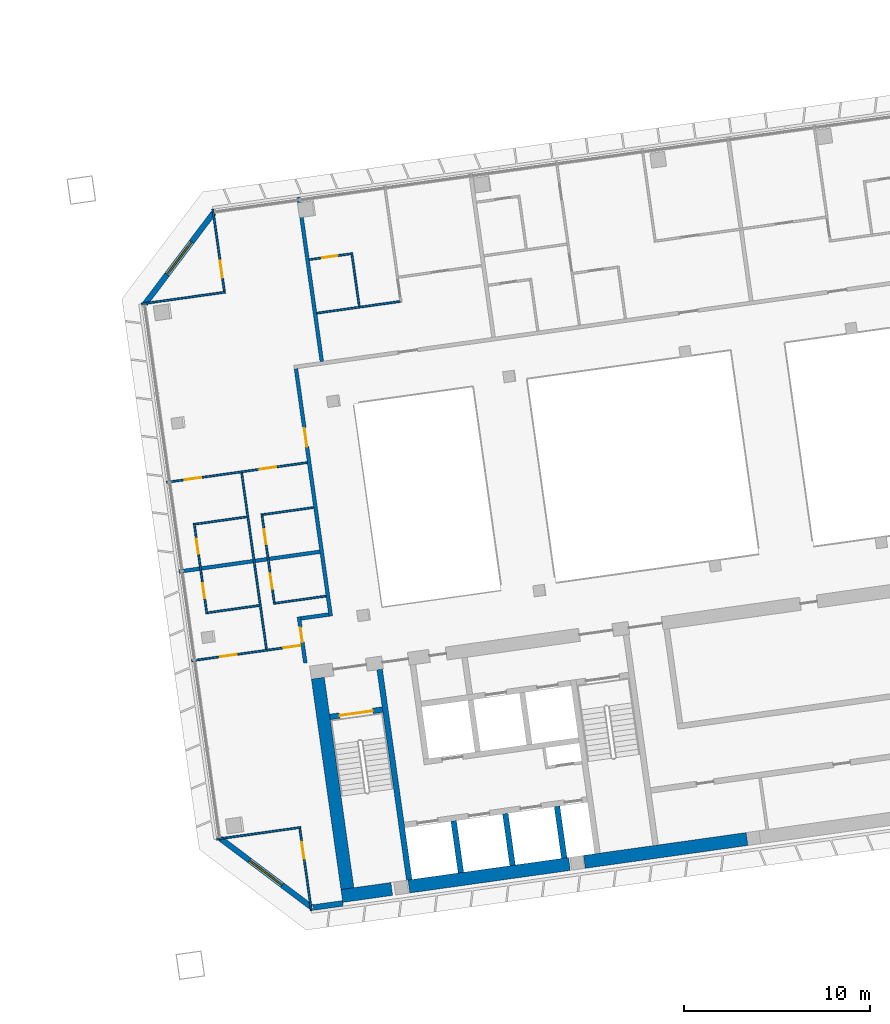
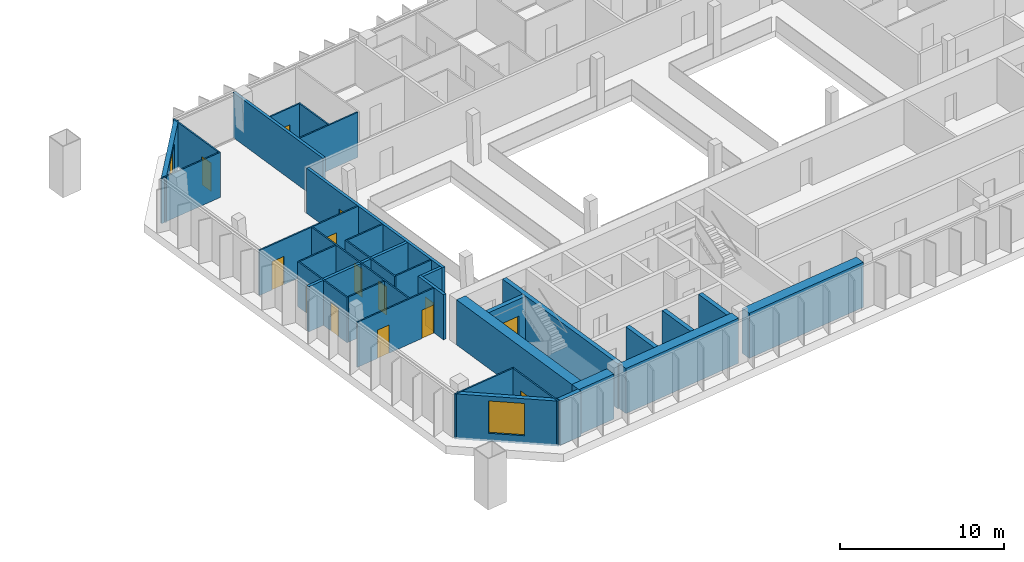
# One storey, part 17 of 23: 33 walls, 14 doors, 2 windows, 16 openings.
"""IFC4 building model written with IfcOpenShell, lengths in metres."""

from ifc_helpers import new_model, si_unit, direction, frame, frame_2d, origin, place, context, subcontext, project, spatial, rectangle, extrude, material, layer, layer_set, type_object, element, fill, save


model = new_model("IFC4")

# Units and contexts
model_context = context("Model", 3, precision=1e-05, world=origin(), true_north=direction((0.0, 1.0)))
body_context = subcontext(model_context, "Body", "Model", "MODEL_VIEW")
ifc_project = project(units=[si_unit("LENGTHUNIT", "METRE"), si_unit("AREAUNIT", "SQUARE_METRE"), si_unit("VOLUMEUNIT", "CUBIC_METRE"), si_unit("PLANEANGLEUNIT", "RADIAN"), si_unit("MASSUNIT", "GRAM", prefix="KILO")], contexts=[model_context])

# Site, building, storey
site_placement = place(None, origin())
site = spatial("IfcSite", under=ifc_project, at=site_placement, CompositionType="ELEMENT")
building_placement = place(site_placement, origin())
building = spatial("IfcBuilding", under=site, at=building_placement, Name="Mirante Cascada Hotel Towers", CompositionType="ELEMENT")
storey_placement = place(building_placement, frame((0.0, 0.0, 187.8)))
storey = spatial("IfcBuildingStorey", under=building, at=storey_placement, Name="L44", CompositionType="ELEMENT", Elevation=187.8)

# Walls
ifc_material_1 = material(Name="Fire-rated plasterboard on metal studs")
ifc_layer_1 = layer(ifc_material_1, 0.2)
ifc_layer_set_1 = layer_set([ifc_layer_1], Name="Compartment wall 200 EI 120")
wall_type_1 = type_object("IfcWallType", Name="Compartment wall 200 EI 120", PredefinedType="PARTITIONING", material=ifc_layer_set_1)
wall_1_placement = place(storey_placement, frame((35.0284, -4.7267, 0.0), z_axis=(0.0, 0.0, 1.0), x_axis=(0.9902735, 0.1391343, 0.0)))
element("IfcWall", 1, at=wall_1_placement, inside=storey, type_object=wall_type_1, Name="Wall 2-L44-03", PredefinedType="PARTITIONING", context=body_context, shape_type="SweptSolid", body=[
    extrude(rectangle(XDim=1.5, YDim=0.2, at=frame_2d((0.75, 0.0))), origin(), (0.0, 0.0, 1.0), 3.35),
])
wall_2_placement = place(storey_placement, frame((28.4875, -2.2126, 0.0), z_axis=(0.0, 0.0, 1.0), x_axis=(0.9902666, 0.1391835, 0.0)))
element("IfcWall", 2, at=wall_2_placement, inside=storey, type_object=wall_type_1, Name="Wall 2-L44-07", PredefinedType="PARTITIONING", context=body_context, shape_type="SweptSolid", body=[
    extrude(rectangle(XDim=7.6273, YDim=0.2, at=frame_2d((3.8136, 0.0))), origin(), (0.0, 0.0, 1.0), 3.35),
])

# Wall, opening, door
wall_3_placement = place(storey_placement, frame((35.2634, -7.1173, 0.0), z_axis=(0.0, 0.0, 1.0), x_axis=(-0.1391586, 0.9902701, 0.0)))
wall_3 = element("IfcWall", 3, at=wall_3_placement, inside=storey, type_object=wall_type_1, Name="Wall 2-L44-33", PredefinedType="PARTITIONING", context=body_context, shape_type="SweptSolid", body=[
    extrude(rectangle(XDim=2.5, YDim=0.2, at=frame_2d((1.25, 0.0))), origin(), (0.0, 0.0, 1.0), 3.35),
])
opening_1_placement = place(wall_3_placement, frame((1.1167, 0.0, 0.0)))
opening_1 = element("IfcOpeningElement", 4, at=opening_1_placement, cuts=wall_3, Name="Opening D2-L44-26", PredefinedType="OPENING", context=body_context, shape_type="SweptSolid", body=[
    extrude(rectangle(XDim=0.8, YDim=2.1, at=frame_2d((0.4, 1.05))), frame((0.0, 0.1, 0.0), z_axis=(0.0, -1.0, 0.0), x_axis=(1.0, 0.0, 0.0)), (0.0, 0.0, 1.0), 0.2),
])
ifc_material_2 = material(Name="Fire-rated timber door leaf", Category="wood")
door_type_1 = type_object("IfcDoorType", Name="Bathroom door DG4 800x2100 EI 60", OperationType="SINGLE_SWING_LEFT", PredefinedType="DOOR", material=ifc_material_2)
door_1_placement = place(opening_1_placement, frame((0.8, 0.0, 0.0), z_axis=(0.0, 0.0, 1.0), x_axis=(-1.0, 0.0, 0.0)))
door_1 = element("IfcDoor", 5, at=door_1_placement, inside=storey, type_object=door_type_1, Name="Door D2-L44-26", OperationType="SINGLE_SWING_RIGHT", OverallHeight=2.1, OverallWidth=0.8, PredefinedType="DOOR", context=body_context, shape_type="SweptSolid", body=[
    extrude(rectangle(XDim=0.8, YDim=2.1, at=frame_2d((0.4, 1.05))), frame((0.0, 0.025, 0.0), z_axis=(0.0, -1.0, 0.0), x_axis=(1.0, 0.0, 0.0)), (0.0, 0.0, 1.0), 0.05),
])
fill(opening_1, door_1)

wall_4_placement = place(storey_placement, frame((34.7618, 8.6665, 0.0), z_axis=(0.0, 0.0, 1.0), x_axis=(0.1391789, -0.9902673, 0.0)))
wall_4 = element("IfcWall", 6, at=wall_4_placement, inside=storey, type_object=wall_type_1, Name="Wall 2-L44-34", PredefinedType="PARTITIONING", context=body_context, shape_type="SweptSolid", body=[
    extrude(rectangle(XDim=13.4, YDim=0.2, at=frame_2d((6.7, 0.0))), origin(), (0.0, 0.0, 1.0), 3.35),
])
opening_2_placement = place(wall_4_placement, frame((3.2167, 0.0, 0.0)))
opening_2 = element("IfcOpeningElement", 7, at=opening_2_placement, cuts=wall_4, Name="Opening D2-L44-27", PredefinedType="OPENING", context=body_context, shape_type="SweptSolid", body=[
    extrude(rectangle(XDim=1.0, YDim=2.1, at=frame_2d((0.5, 1.05))), frame((0.0, 0.1, 0.0), z_axis=(0.0, -1.0, 0.0), x_axis=(1.0, 0.0, 0.0)), (0.0, 0.0, 1.0), 0.2),
])
ifc_material_3 = material(Name="Fire-rated timber door leaf", Category="wood")
door_type_2 = type_object("IfcDoorType", Name="Entrance door DG1 1000x2100 EI 60", OperationType="SINGLE_SWING_LEFT", PredefinedType="DOOR", material=ifc_material_3)
door_2_placement = place(opening_2_placement, frame((1.0, 0.0, 0.0), z_axis=(0.0, 0.0, 1.0), x_axis=(-1.0, 0.0, 0.0)))
door_2 = element("IfcDoor", 8, at=door_2_placement, inside=storey, type_object=door_type_2, Name="Door D2-L44-27", OperationType="SINGLE_SWING_RIGHT", OverallHeight=2.1, OverallWidth=1.0, PredefinedType="DOOR", context=body_context, shape_type="SweptSolid", body=[
    extrude(rectangle(XDim=1.0, YDim=2.1, at=frame_2d((0.5, 1.05))), frame((0.0, 0.025, 0.0), z_axis=(0.0, -1.0, 0.0), x_axis=(1.0, 0.0, 0.0)), (0.0, 0.0, 1.0), 0.05),
])
fill(opening_2, door_2)

# Walls
wall_5_placement = place(storey_placement, frame((36.1455, 9.063, 0.0), z_axis=(0.0, 0.0, 1.0), x_axis=(-0.13917, 0.9902685, 0.0)))
element("IfcWall", 9, at=wall_5_placement, inside=storey, type_object=wall_type_1, Name="Wall 2-L44-35", PredefinedType="PARTITIONING", context=body_context, shape_type="SweptSolid", body=[
    extrude(rectangle(XDim=8.8999, YDim=0.2, at=frame_2d((4.45, 0.0))), origin(), (0.0, 0.0, 1.0), 3.35),
])
ifc_material_4 = material(Name="Plasterboard on metal studs")
ifc_layer_2 = layer(ifc_material_4, 0.1)
ifc_layer_set_2 = layer_set([ifc_layer_2], Name="Partition 100")
wall_type_2 = type_object("IfcWallType", Name="Partition 100", PredefinedType="PARTITIONING", material=ifc_layer_set_2)
wall_6_placement = place(storey_placement, frame((30.5055, -16.5715, 0.0), z_axis=(0.0, 0.0, 1.0), x_axis=(0.9902661, 0.1391871, 0.0)))
element("IfcWall", 10, at=wall_6_placement, inside=storey, type_object=wall_type_2, Name="Wall 2-L44-01", PredefinedType="PARTITIONING", context=body_context, shape_type="SweptSolid", body=[
    extrude(rectangle(XDim=4.55, YDim=0.1, at=frame_2d((2.275, 0.0))), origin(), (0.0, 0.0, 1.0), 3.35),
])

# Wall, openings, doors
wall_7_placement = place(storey_placement, frame((35.0298, -6.1739, 0.0), z_axis=(0.0, 0.0, 1.0), x_axis=(-0.9902688, -0.1391677, 0.0)))
wall_7 = element("IfcWall", 11, at=wall_7_placement, inside=storey, type_object=wall_type_2, Name="Wall 2-L44-02", PredefinedType="PARTITIONING", context=body_context, shape_type="SweptSolid", body=[
    extrude(rectangle(XDim=5.9274, YDim=0.1, at=frame_2d((2.9637, 0.0))), origin(), (0.0, 0.0, 1.0), 3.35),
])
opening_3_placement = place(wall_7_placement, frame((3.4774, 0.0, 0.0)))
opening_3 = element("IfcOpeningElement", 12, at=opening_3_placement, cuts=wall_7, Name="Opening D2-L44-01", PredefinedType="OPENING", context=body_context, shape_type="SweptSolid", body=[
    extrude(rectangle(XDim=0.9, YDim=2.1, at=frame_2d((0.45, 1.05))), frame((0.0, 0.05, 0.0), z_axis=(0.0, -1.0, 0.0), x_axis=(1.0, 0.0, 0.0)), (0.0, 0.0, 1.0), 0.1),
])
opening_4_placement = place(wall_7_placement, frame((0.05, 0.0, 0.0)))
opening_4 = element("IfcOpeningElement", 13, at=opening_4_placement, cuts=wall_7, Name="Opening D2-L44-02", PredefinedType="OPENING", context=body_context, shape_type="SweptSolid", body=[
    extrude(rectangle(XDim=0.9, YDim=2.1, at=frame_2d((0.45, 1.05))), frame((0.0, 0.05, 0.0), z_axis=(0.0, -1.0, 0.0), x_axis=(1.0, 0.0, 0.0)), (0.0, 0.0, 1.0), 0.1),
])
ifc_material_5 = material(Name="Timber door leaf", Category="wood")
door_type_3 = type_object("IfcDoorType", Name="Room door DG3 900x2100", OperationType="SINGLE_SWING_LEFT", PredefinedType="DOOR", material=ifc_material_5)
door_3_placement = place(opening_3_placement, origin())
door_3 = element("IfcDoor", 14, at=door_3_placement, inside=storey, type_object=door_type_3, Name="Door D2-L44-01", OperationType="SINGLE_SWING_LEFT", OverallHeight=2.1, OverallWidth=0.9, PredefinedType="DOOR", context=body_context, shape_type="SweptSolid", body=[
    extrude(rectangle(XDim=0.9, YDim=2.1, at=frame_2d((0.45, 1.05))), frame((0.0, 0.025, 0.0), z_axis=(0.0, -1.0, 0.0), x_axis=(1.0, 0.0, 0.0)), (0.0, 0.0, 1.0), 0.05),
])
fill(opening_3, door_3)
door_4_placement = place(opening_4_placement, origin())
door_4 = element("IfcDoor", 15, at=door_4_placement, inside=storey, type_object=door_type_3, Name="Door D2-L44-02", OperationType="SINGLE_SWING_LEFT", OverallHeight=2.1, OverallWidth=0.9, PredefinedType="DOOR", context=body_context, shape_type="SweptSolid", body=[
    extrude(rectangle(XDim=0.9, YDim=2.1, at=frame_2d((0.45, 1.05))), frame((0.0, 0.025, 0.0), z_axis=(0.0, -1.0, 0.0), x_axis=(1.0, 0.0, 0.0)), (0.0, 0.0, 1.0), 0.05),
])
fill(opening_4, door_4)

# Walls
wall_8_placement = place(storey_placement, frame((30.0234, -4.4203, 0.0), z_axis=(0.0, 0.0, 1.0), x_axis=(0.990267, 0.139181, 0.0)))
element("IfcWall", 16, at=wall_8_placement, inside=storey, type_object=wall_type_2, Name="Wall 2-L44-05", PredefinedType="PARTITIONING", context=body_context, shape_type="SweptSolid", body=[
    extrude(rectangle(XDim=2.8, YDim=0.1, at=frame_2d((1.4, 0.0))), origin(), (0.0, 0.0, 1.0), 3.35),
])
wall_9_placement = place(storey_placement, frame((36.3747, -3.5277, 0.0), z_axis=(0.0, 0.0, 1.0), x_axis=(-0.9902698, -0.1391607, 0.0)))
element("IfcWall", 17, at=wall_9_placement, inside=storey, type_object=wall_type_2, Name="Wall 2-L44-06", PredefinedType="PARTITIONING", context=body_context, shape_type="SweptSolid", body=[
    extrude(rectangle(XDim=2.7501, YDim=0.1, at=frame_2d((1.3751, 0.0))), origin(), (0.0, 0.0, 1.0), 3.35),
])
wall_10_placement = place(storey_placement, frame((29.3553, 0.333, 0.0), z_axis=(0.0, 0.0, 1.0), x_axis=(0.9902677, 0.139176, 0.0)))
element("IfcWall", 18, at=wall_10_placement, inside=storey, type_object=wall_type_2, Name="Wall 2-L44-09", PredefinedType="PARTITIONING", context=body_context, shape_type="SweptSolid", body=[
    extrude(rectangle(XDim=2.8001, YDim=0.1, at=frame_2d((1.4, 0.0))), origin(), (0.0, 0.0, 1.0), 3.35),
])
wall_11_placement = place(storey_placement, frame((35.7066, 1.2256, 0.0), z_axis=(0.0, 0.0, 1.0), x_axis=(-0.9902691, -0.1391657, 0.0)))
element("IfcWall", 19, at=wall_11_placement, inside=storey, type_object=wall_type_2, Name="Wall 2-L44-10", PredefinedType="PARTITIONING", context=body_context, shape_type="SweptSolid", body=[
    extrude(rectangle(XDim=2.75, YDim=0.1, at=frame_2d((1.375, 0.0))), origin(), (0.0, 0.0, 1.0), 3.35),
])

# Wall, openings, doors
wall_12_placement = place(storey_placement, frame((27.8148, 2.5737, 0.0), z_axis=(0.0, 0.0, 1.0), x_axis=(0.9902687, 0.1391689, 0.0)))
wall_12 = element("IfcWall", 20, at=wall_12_placement, inside=storey, type_object=wall_type_2, Name="Wall 2-L44-13", PredefinedType="PARTITIONING", context=body_context, shape_type="SweptSolid", body=[
    extrude(rectangle(XDim=7.6274, YDim=0.1, at=frame_2d((3.8137, 0.0))), origin(), (0.0, 0.0, 1.0), 3.35),
])
opening_5_placement = place(wall_12_placement, frame((0.9819, 0.0, 0.0)))
opening_5 = element("IfcOpeningElement", 21, at=opening_5_placement, cuts=wall_12, Name="Opening D2-L44-06", PredefinedType="OPENING", context=body_context, shape_type="SweptSolid", body=[
    extrude(rectangle(XDim=0.9, YDim=2.1, at=frame_2d((0.45, 1.05))), frame((0.0, 0.05, 0.0), z_axis=(0.0, -1.0, 0.0), x_axis=(1.0, 0.0, 0.0)), (0.0, 0.0, 1.0), 0.1),
])
opening_6_placement = place(wall_12_placement, frame((5.0456, 0.0, 0.0)))
opening_6 = element("IfcOpeningElement", 22, at=opening_6_placement, cuts=wall_12, Name="Opening D2-L44-07", PredefinedType="OPENING", context=body_context, shape_type="SweptSolid", body=[
    extrude(rectangle(XDim=0.9, YDim=2.1, at=frame_2d((0.45, 1.05))), frame((0.0, 0.05, 0.0), z_axis=(0.0, -1.0, 0.0), x_axis=(1.0, 0.0, 0.0)), (0.0, 0.0, 1.0), 0.1),
])
door_5_placement = place(opening_5_placement, origin())
door_5 = element("IfcDoor", 23, at=door_5_placement, inside=storey, type_object=door_type_3, Name="Door D2-L44-06", OperationType="SINGLE_SWING_LEFT", OverallHeight=2.1, OverallWidth=0.9, PredefinedType="DOOR", context=body_context, shape_type="SweptSolid", body=[
    extrude(rectangle(XDim=0.9, YDim=2.1, at=frame_2d((0.45, 1.05))), frame((0.0, 0.025, 0.0), z_axis=(0.0, -1.0, 0.0), x_axis=(1.0, 0.0, 0.0)), (0.0, 0.0, 1.0), 0.05),
])
fill(opening_5, door_5)
door_6_placement = place(opening_6_placement, origin())
door_6 = element("IfcDoor", 24, at=door_6_placement, inside=storey, type_object=door_type_3, Name="Door D2-L44-07", OperationType="SINGLE_SWING_LEFT", OverallHeight=2.1, OverallWidth=0.9, PredefinedType="DOOR", context=body_context, shape_type="SweptSolid", body=[
    extrude(rectangle(XDim=0.9, YDim=2.1, at=frame_2d((0.45, 1.05))), frame((0.0, 0.025, 0.0), z_axis=(0.0, -1.0, 0.0), x_axis=(1.0, 0.0, 0.0)), (0.0, 0.0, 1.0), 0.05),
])
fill(opening_6, door_6)

# Walls
wall_13_placement = place(storey_placement, frame((35.8827, 11.6516, 0.0), z_axis=(0.0, 0.0, 1.0), x_axis=(0.9902698, 0.1391606, 0.0)))
element("IfcWall", 25, at=wall_13_placement, inside=storey, type_object=wall_type_2, Name="Wall 2-L44-17", PredefinedType="PARTITIONING", context=body_context, shape_type="SweptSolid", body=[
    extrude(rectangle(XDim=4.5027, YDim=0.1, at=frame_2d((2.2514, 0.0))), origin(), (0.0, 0.0, 1.0), 3.35),
])
wall_14_placement = place(storey_placement, frame((26.4695, 12.1463, 0.0), z_axis=(0.0, 0.0, 1.0), x_axis=(0.9902661, 0.1391871, 0.0)))
element("IfcWall", 26, at=wall_14_placement, inside=storey, type_object=wall_type_2, Name="Wall 2-L44-23", PredefinedType="PARTITIONING", context=body_context, shape_type="SweptSolid", body=[
    extrude(rectangle(XDim=4.55, YDim=0.1, at=frame_2d((2.275, 0.0))), origin(), (0.0, 0.0, 1.0), 3.35),
])

# Wall, opening, door
wall_15_placement = place(storey_placement, frame((35.4791, 14.5233, 0.0), z_axis=(0.0, 0.0, 1.0), x_axis=(0.9902643, 0.1391997, 0.0)))
wall_15 = element("IfcWall", 27, at=wall_15_placement, inside=storey, type_object=wall_type_2, Name="Wall 2-L44-25", PredefinedType="PARTITIONING", context=body_context, shape_type="SweptSolid", body=[
    extrude(rectangle(XDim=2.25, YDim=0.1, at=frame_2d((1.125, 0.0))), origin(), (0.0, 0.0, 1.0), 3.35),
])
opening_7_placement = place(wall_15_placement, frame((0.7, 0.0, 0.0)))
opening_7 = element("IfcOpeningElement", 28, at=opening_7_placement, cuts=wall_15, Name="Opening D2-L44-17", PredefinedType="OPENING", context=body_context, shape_type="SweptSolid", body=[
    extrude(rectangle(XDim=0.8, YDim=2.1, at=frame_2d((0.4, 1.05))), frame((0.0, 0.05, 0.0), z_axis=(0.0, -1.0, 0.0), x_axis=(1.0, 0.0, 0.0)), (0.0, 0.0, 1.0), 0.1),
])
ifc_material_6 = material(Name="Timber door leaf", Category="wood")
door_type_4 = type_object("IfcDoorType", Name="Bathroom door DG4 800x2100", OperationType="SINGLE_SWING_LEFT", PredefinedType="DOOR", material=ifc_material_6)
door_7_placement = place(opening_7_placement, origin())
door_7 = element("IfcDoor", 29, at=door_7_placement, inside=storey, type_object=door_type_4, Name="Door D2-L44-17", OperationType="SINGLE_SWING_LEFT", OverallHeight=2.1, OverallWidth=0.8, PredefinedType="DOOR", context=body_context, shape_type="SweptSolid", body=[
    extrude(rectangle(XDim=0.8, YDim=2.1, at=frame_2d((0.4, 1.05))), frame((0.0, 0.025, 0.0), z_axis=(0.0, -1.0, 0.0), x_axis=(1.0, 0.0, 0.0)), (0.0, 0.0, 1.0), 0.05),
])
fill(opening_7, door_7)

# Wall, openings, doors
wall_16_placement = place(storey_placement, frame((29.2989, 0.3755, 0.0), z_axis=(0.0, 0.0, 1.0), x_axis=(0.1391638, -0.9902694, 0.0)))
wall_16 = element("IfcWall", 30, at=wall_16_placement, inside=storey, type_object=wall_type_2, Name="Wall 2-L44-28", PredefinedType="PARTITIONING", context=body_context, shape_type="SweptSolid", body=[
    extrude(rectangle(XDim=4.9, YDim=0.1, at=frame_2d((2.45, 0.0))), origin(), (0.0, 0.0, 1.0), 3.35),
])
opening_8_placement = place(wall_16_placement, frame((3.25, 0.0, 0.0)))
opening_8 = element("IfcOpeningElement", 31, at=opening_8_placement, cuts=wall_16, Name="Opening D2-L44-20", PredefinedType="OPENING", context=body_context, shape_type="SweptSolid", body=[
    extrude(rectangle(XDim=0.8, YDim=2.1, at=frame_2d((0.4, 1.05))), frame((0.0, 0.05, 0.0), z_axis=(0.0, -1.0, 0.0), x_axis=(1.0, 0.0, 0.0)), (0.0, 0.0, 1.0), 0.1),
])
opening_9_placement = place(wall_16_placement, frame((0.85, 0.0, 0.0)))
opening_9 = element("IfcOpeningElement", 32, at=opening_9_placement, cuts=wall_16, Name="Opening D2-L44-21", PredefinedType="OPENING", context=body_context, shape_type="SweptSolid", body=[
    extrude(rectangle(XDim=0.8, YDim=2.1, at=frame_2d((0.4, 1.05))), frame((0.0, 0.05, 0.0), z_axis=(0.0, -1.0, 0.0), x_axis=(1.0, 0.0, 0.0)), (0.0, 0.0, 1.0), 0.1),
])
door_8_placement = place(opening_8_placement, origin())
door_8 = element("IfcDoor", 33, at=door_8_placement, inside=storey, type_object=door_type_4, Name="Door D2-L44-20", OperationType="SINGLE_SWING_LEFT", OverallHeight=2.1, OverallWidth=0.8, PredefinedType="DOOR", context=body_context, shape_type="SweptSolid", body=[
    extrude(rectangle(XDim=0.8, YDim=2.1, at=frame_2d((0.4, 1.05))), frame((0.0, 0.025, 0.0), z_axis=(0.0, -1.0, 0.0), x_axis=(1.0, 0.0, 0.0)), (0.0, 0.0, 1.0), 0.05),
])
fill(opening_8, door_8)
door_9_placement = place(opening_9_placement, origin())
door_9 = element("IfcDoor", 34, at=door_9_placement, inside=storey, type_object=door_type_4, Name="Door D2-L44-21", OperationType="SINGLE_SWING_LEFT", OverallHeight=2.1, OverallWidth=0.8, PredefinedType="DOOR", context=body_context, shape_type="SweptSolid", body=[
    extrude(rectangle(XDim=0.8, YDim=2.1, at=frame_2d((0.4, 1.05))), frame((0.0, 0.025, 0.0), z_axis=(0.0, -1.0, 0.0), x_axis=(1.0, 0.0, 0.0)), (0.0, 0.0, 1.0), 0.05),
])
fill(opening_9, door_9)

# Wall
wall_17_placement = place(storey_placement, frame((33.1773, -6.3838, 0.0), z_axis=(0.0, 0.0, 1.0), x_axis=(-0.1391717, 0.9902683, 0.0)))
element("IfcWall", 35, at=wall_17_placement, inside=storey, type_object=wall_type_2, Name="Wall 2-L44-29", PredefinedType="PARTITIONING", context=body_context, shape_type="SweptSolid", body=[
    extrude(rectangle(XDim=9.5666, YDim=0.1, at=frame_2d((4.7833, 0.0))), origin(), (0.0, 0.0, 1.0), 3.35),
])

# Wall, opening, door
wall_18_placement = place(storey_placement, frame((34.9686, -15.9947, 0.0), z_axis=(0.0, 0.0, 1.0), x_axis=(0.1391904, -0.9902656, 0.0)))
wall_18 = element("IfcWall", 36, at=wall_18_placement, inside=storey, type_object=wall_type_2, Name="Wall 2-L44-30", PredefinedType="PARTITIONING", context=body_context, shape_type="SweptSolid", body=[
    extrude(rectangle(XDim=4.45, YDim=0.1, at=frame_2d((2.225, 0.0))), origin(), (0.0, 0.0, 1.0), 3.35),
])
opening_10_placement = place(wall_18_placement, frame((0.75, 0.0, 0.0)))
opening_10 = element("IfcOpeningElement", 37, at=opening_10_placement, cuts=wall_18, Name="Opening D2-L44-22", PredefinedType="OPENING", context=body_context, shape_type="SweptSolid", body=[
    extrude(rectangle(XDim=0.9, YDim=2.1, at=frame_2d((0.45, 1.05))), frame((0.0, 0.05, 0.0), z_axis=(0.0, -1.0, 0.0), x_axis=(1.0, 0.0, 0.0)), (0.0, 0.0, 1.0), 0.1),
])
door_10_placement = place(opening_10_placement, frame((0.9, 0.0, 0.0), z_axis=(0.0, 0.0, 1.0), x_axis=(-1.0, 0.0, 0.0)))
door_10 = element("IfcDoor", 38, at=door_10_placement, inside=storey, type_object=door_type_3, Name="Door D2-L44-22", OperationType="SINGLE_SWING_RIGHT", OverallHeight=2.1, OverallWidth=0.9, PredefinedType="DOOR", context=body_context, shape_type="SweptSolid", body=[
    extrude(rectangle(XDim=0.9, YDim=2.1, at=frame_2d((0.45, 1.05))), frame((0.0, 0.025, 0.0), z_axis=(0.0, -1.0, 0.0), x_axis=(1.0, 0.0, 0.0)), (0.0, 0.0, 1.0), 0.05),
])
fill(opening_10, door_10)

wall_19_placement = place(storey_placement, frame((30.9187, 12.8221, 0.0), z_axis=(0.0, 0.0, 1.0), x_axis=(-0.1391684, 0.9902687, 0.0)))
wall_19 = element("IfcWall", 39, at=wall_19_placement, inside=storey, type_object=wall_type_2, Name="Wall 2-L44-31", PredefinedType="PARTITIONING", context=body_context, shape_type="SweptSolid", body=[
    extrude(rectangle(XDim=4.45, YDim=0.1, at=frame_2d((2.225, 0.0))), origin(), (0.0, 0.0, 1.0), 3.35),
])
opening_11_placement = place(wall_19_placement, frame((0.75, 0.0, 0.0)))
opening_11 = element("IfcOpeningElement", 40, at=opening_11_placement, cuts=wall_19, Name="Opening D2-L44-23", PredefinedType="OPENING", context=body_context, shape_type="SweptSolid", body=[
    extrude(rectangle(XDim=0.9, YDim=2.1, at=frame_2d((0.45, 1.05))), frame((0.0, 0.05, 0.0), z_axis=(0.0, -1.0, 0.0), x_axis=(1.0, 0.0, 0.0)), (0.0, 0.0, 1.0), 0.1),
])
door_11_placement = place(opening_11_placement, frame((0.9, 0.0, 0.0), z_axis=(0.0, 0.0, 1.0), x_axis=(-1.0, 0.0, 0.0)))
door_11 = element("IfcDoor", 41, at=door_11_placement, inside=storey, type_object=door_type_3, Name="Door D2-L44-23", OperationType="SINGLE_SWING_RIGHT", OverallHeight=2.1, OverallWidth=0.9, PredefinedType="DOOR", context=body_context, shape_type="SweptSolid", body=[
    extrude(rectangle(XDim=0.9, YDim=2.1, at=frame_2d((0.45, 1.05))), frame((0.0, 0.025, 0.0), z_axis=(0.0, -1.0, 0.0), x_axis=(1.0, 0.0, 0.0)), (0.0, 0.0, 1.0), 0.05),
])
fill(opening_11, door_11)

# Wall, openings, doors
wall_20_placement = place(storey_placement, frame((32.9269, 0.8854, 0.0), z_axis=(0.0, 0.0, 1.0), x_axis=(0.1391838, -0.9902666, 0.0)))
wall_20 = element("IfcWall", 42, at=wall_20_placement, inside=storey, type_object=wall_type_2, Name="Wall 2-L44-32", PredefinedType="PARTITIONING", context=body_context, shape_type="SweptSolid", body=[
    extrude(rectangle(XDim=4.9, YDim=0.1, at=frame_2d((2.45, 0.0))), origin(), (0.0, 0.0, 1.0), 3.35),
])
opening_12_placement = place(wall_20_placement, frame((3.25, 0.0, 0.0)))
opening_12 = element("IfcOpeningElement", 43, at=opening_12_placement, cuts=wall_20, Name="Opening D2-L44-24", PredefinedType="OPENING", context=body_context, shape_type="SweptSolid", body=[
    extrude(rectangle(XDim=0.8, YDim=2.1, at=frame_2d((0.4, 1.05))), frame((0.0, 0.05, 0.0), z_axis=(0.0, -1.0, 0.0), x_axis=(1.0, 0.0, 0.0)), (0.0, 0.0, 1.0), 0.1),
])
opening_13_placement = place(wall_20_placement, frame((0.85, 0.0, 0.0)))
opening_13 = element("IfcOpeningElement", 44, at=opening_13_placement, cuts=wall_20, Name="Opening D2-L44-25", PredefinedType="OPENING", context=body_context, shape_type="SweptSolid", body=[
    extrude(rectangle(XDim=0.8, YDim=2.1, at=frame_2d((0.4, 1.05))), frame((0.0, 0.05, 0.0), z_axis=(0.0, -1.0, 0.0), x_axis=(1.0, 0.0, 0.0)), (0.0, 0.0, 1.0), 0.1),
])
door_12_placement = place(opening_12_placement, origin())
door_12 = element("IfcDoor", 45, at=door_12_placement, inside=storey, type_object=door_type_4, Name="Door D2-L44-24", OperationType="SINGLE_SWING_LEFT", OverallHeight=2.1, OverallWidth=0.8, PredefinedType="DOOR", context=body_context, shape_type="SweptSolid", body=[
    extrude(rectangle(XDim=0.8, YDim=2.1, at=frame_2d((0.4, 1.05))), frame((0.0, 0.025, 0.0), z_axis=(0.0, -1.0, 0.0), x_axis=(1.0, 0.0, 0.0)), (0.0, 0.0, 1.0), 0.05),
])
fill(opening_12, door_12)
door_13_placement = place(opening_13_placement, origin())
door_13 = element("IfcDoor", 46, at=door_13_placement, inside=storey, type_object=door_type_4, Name="Door D2-L44-25", OperationType="SINGLE_SWING_LEFT", OverallHeight=2.1, OverallWidth=0.8, PredefinedType="DOOR", context=body_context, shape_type="SweptSolid", body=[
    extrude(rectangle(XDim=0.8, YDim=2.1, at=frame_2d((0.4, 1.05))), frame((0.0, 0.025, 0.0), z_axis=(0.0, -1.0, 0.0), x_axis=(1.0, 0.0, 0.0)), (0.0, 0.0, 1.0), 0.05),
])
fill(opening_13, door_13)

# Walls
wall_21_placement = place(storey_placement, frame((37.7498, 14.893, 0.0), z_axis=(0.0, 0.0, 1.0), x_axis=(0.1391714, -0.9902683, 0.0)))
element("IfcWall", 47, at=wall_21_placement, inside=storey, type_object=wall_type_2, Name="Wall 2-L44-36", PredefinedType="PARTITIONING", context=body_context, shape_type="SweptSolid", body=[
    extrude(rectangle(XDim=2.9, YDim=0.1, at=frame_2d((1.45, 0.0))), origin(), (0.0, 0.0, 1.0), 3.35),
])
ifc_material_7 = material(Name="Precast concrete C40/50", Category="concrete")
ifc_layer_3 = layer(ifc_material_7, 0.3)
ifc_layer_set_3 = layer_set([ifc_layer_3], Name="Precast concrete C40/50 cladding wall 300")
wall_type_3 = type_object("IfcWallType", Name="Precast concrete C40/50 cladding wall 300", PredefinedType="STANDARD", material=ifc_layer_set_3)
wall_22_placement = place(storey_placement, frame((35.6901, -20.2356, 0.0), z_axis=(0.0, 0.0, 1.0), x_axis=(0.9902614, 0.1392204, 0.0)))
element("IfcWall", 48, at=wall_22_placement, inside=storey, type_object=wall_type_3, Name="Rear cladding wall T2 L44 1", PredefinedType="STANDARD", context=body_context, shape_type="SweptSolid", body=[
    extrude(rectangle(XDim=1.6032, YDim=0.3, at=frame_2d((0.8016, 0.0))), origin(), (0.0, 0.0, 1.0), 3.35),
])

# Wall, opening, window
wall_23_placement = place(storey_placement, frame((30.3445, 17.0394, 0.0), z_axis=(0.0, 0.0, 1.0), x_axis=(-0.6018141, -0.7986362, 0.0)))
wall_23 = element("IfcWall", 49, at=wall_23_placement, inside=storey, type_object=wall_type_3, Name="Corner cladding wall T2 L44 front inner", PredefinedType="STANDARD", context=body_context, shape_type="SweptSolid", body=[
    extrude(rectangle(XDim=6.1157, YDim=0.3, at=frame_2d((3.0578, 0.0))), origin(), (0.0, 0.0, 1.0), 3.35),
])
opening_14_placement = place(wall_23_placement, frame((1.9578, 0.0, 0.6)))
opening_14 = element("IfcOpeningElement", 50, at=opening_14_placement, cuts=wall_23, Name="Opening W2-44-03", PredefinedType="OPENING", context=body_context, shape_type="SweptSolid", body=[
    extrude(rectangle(XDim=2.2, YDim=2.4, at=frame_2d((1.1, 1.2))), frame((0.0, 0.15, 0.0), z_axis=(0.0, -1.0, 0.0), x_axis=(1.0, 0.0, 0.0)), (0.0, 0.0, 1.0), 0.3),
])
ifc_material_8 = material(Name="Aluminium frame with clear double glazing", Category="aluminium")
window_type = type_object("IfcWindowType", Name="Corner suite window 2200x2400", PartitioningType="DOUBLE_PANEL_VERTICAL", PredefinedType="WINDOW", material=ifc_material_8)
window_1_placement = place(opening_14_placement, origin())
window_1 = element("IfcWindow", 51, at=window_1_placement, inside=storey, type_object=window_type, Name="Window W2-44-03", OverallHeight=2.4, OverallWidth=2.2, PartitioningType="SINGLE_PANEL", PredefinedType="WINDOW", context=body_context, shape_type="SweptSolid", body=[
    extrude(rectangle(XDim=2.2, YDim=2.4, at=frame_2d((1.1, 1.2))), frame((0.0, 0.03, 0.0), z_axis=(0.0, -1.0, 0.0), x_axis=(1.0, 0.0, 0.0)), (0.0, 0.0, 1.0), 0.06),
])
fill(opening_14, window_1)

wall_24_placement = place(storey_placement, frame((30.6949, -16.5264, 0.0), z_axis=(0.0, 0.0, 1.0), x_axis=(0.7986362, -0.6018141, 0.0)))
wall_24 = element("IfcWall", 52, at=wall_24_placement, inside=storey, type_object=wall_type_3, Name="Corner cladding wall T2 L44 inner rear", PredefinedType="STANDARD", context=body_context, shape_type="SweptSolid", body=[
    extrude(rectangle(XDim=6.1157, YDim=0.3, at=frame_2d((3.0578, 0.0))), origin(), (0.0, 0.0, 1.0), 3.35),
])
opening_15_placement = place(wall_24_placement, frame((1.9578, 0.0, 0.6)))
opening_15 = element("IfcOpeningElement", 53, at=opening_15_placement, cuts=wall_24, Name="Opening W2-44-04", PredefinedType="OPENING", context=body_context, shape_type="SweptSolid", body=[
    extrude(rectangle(XDim=2.2, YDim=2.4, at=frame_2d((1.1, 1.2))), frame((0.0, 0.15, 0.0), z_axis=(0.0, -1.0, 0.0), x_axis=(1.0, 0.0, 0.0)), (0.0, 0.0, 1.0), 0.3),
])
window_2_placement = place(opening_15_placement, origin())
window_2 = element("IfcWindow", 54, at=window_2_placement, inside=storey, type_object=window_type, Name="Window W2-44-04", OverallHeight=2.4, OverallWidth=2.2, PartitioningType="SINGLE_PANEL", PredefinedType="WINDOW", context=body_context, shape_type="SweptSolid", body=[
    extrude(rectangle(XDim=2.2, YDim=2.4, at=frame_2d((1.1, 1.2))), frame((0.0, 0.03, 0.0), z_axis=(0.0, -1.0, 0.0), x_axis=(1.0, 0.0, 0.0)), (0.0, 0.0, 1.0), 0.06),
])
fill(opening_15, window_2)

# Wall
ifc_material_9 = material(Name="Concrete C50/60", Category="concrete")
ifc_layer_4 = layer(ifc_material_9, 0.3)
ifc_layer_set_4 = layer_set([ifc_layer_4], Name="RC core wall 300 C50/60")
wall_type_4 = type_object("IfcWallType", Name="RC core wall 300 C50/60", PredefinedType="SHEAR", material=ifc_layer_set_4)
wall_25_placement = place(storey_placement, frame((40.8373, -18.7548, 0.0), z_axis=(0.0, 0.0, 1.0), x_axis=(-0.1391749, 0.9902678, 0.0)))
element("IfcWall", 55, at=wall_25_placement, inside=storey, type_object=wall_type_4, Name="Core wall T2:L44:5", PredefinedType="SHEAR", context=body_context, shape_type="SweptSolid", body=[
    extrude(rectangle(XDim=11.4, YDim=0.3, at=frame_2d((5.7, 0.0))), origin(), (0.0, 0.0, 1.0), 3.35),
])

# Wall, opening, door
wall_26_placement = place(storey_placement, frame((36.5791, -10.0123, 0.0), z_axis=(0.0, 0.0, 1.0), x_axis=(0.9902704, 0.1391564, 0.0)))
wall_26 = element("IfcWall", 56, at=wall_26_placement, inside=storey, type_object=wall_type_4, Name="Core wall T2:L44:8", PredefinedType="SHEAR", context=body_context, shape_type="SweptSolid", body=[
    extrude(rectangle(XDim=2.85, YDim=0.3, at=frame_2d((1.425, 0.0))), origin(), (0.0, 0.0, 1.0), 3.35),
])
opening_16_placement = place(wall_26_placement, frame((0.525, 0.0, 0.0)))
opening_16 = element("IfcOpeningElement", 57, at=opening_16_placement, cuts=wall_26, Name="Opening D2-44-C07", PredefinedType="OPENING", context=body_context, shape_type="SweptSolid", body=[
    extrude(rectangle(XDim=1.8, YDim=2.1, at=frame_2d((0.9, 1.05))), frame((0.0, 0.15, 0.0), z_axis=(0.0, -1.0, 0.0), x_axis=(1.0, 0.0, 0.0)), (0.0, 0.0, 1.0), 0.3),
])
ifc_material_10 = material(Name="Hollow metal fire door leaf")
door_type_5 = type_object("IfcDoorType", Name="Double fire door 1800x2100 FD60", OperationType="DOUBLE_DOOR_SINGLE_SWING", PredefinedType="DOOR", material=ifc_material_10)
door_14_placement = place(opening_16_placement, frame((1.8, 0.0, 0.0), z_axis=(0.0, 0.0, 1.0), x_axis=(-1.0, 0.0, 0.0)))
door_14 = element("IfcDoor", 58, at=door_14_placement, inside=storey, type_object=door_type_5, Name="Stair door T2 L44 7", OperationType="DOUBLE_DOOR_SINGLE_SWING", OverallHeight=2.1, OverallWidth=1.8, PredefinedType="DOOR", context=body_context, shape_type="SweptSolid", body=[
    extrude(rectangle(XDim=0.895, YDim=2.1, at=frame_2d((0.4475, 1.05))), frame((0.0, 0.025, 0.0), z_axis=(0.0, -1.0, 0.0), x_axis=(1.0, 0.0, 0.0)), (0.0, 0.0, 1.0), 0.05),
    extrude(rectangle(XDim=0.895, YDim=2.1, at=frame_2d((1.3525, 1.05))), frame((0.0, 0.025, 0.0), z_axis=(0.0, -1.0, 0.0), x_axis=(1.0, 0.0, 0.0)), (0.0, 0.0, 1.0), 0.05),
])
fill(opening_16, door_14)

# Walls
wall_27_placement = place(storey_placement, frame((43.61, -18.3651, 0.0), z_axis=(0.0, 0.0, 1.0), x_axis=(-0.1391459, 0.9902719, 0.0)))
element("IfcWall", 59, at=wall_27_placement, inside=storey, type_object=wall_type_4, Name="Core wall T2:L44:13", PredefinedType="SHEAR", context=body_context, shape_type="SweptSolid", body=[
    extrude(rectangle(XDim=2.7999, YDim=0.3, at=frame_2d((1.4, 0.0))), origin(), (0.0, 0.0, 1.0), 3.35),
])
wall_28_placement = place(storey_placement, frame((46.3828, -17.9754, 0.0), z_axis=(0.0, 0.0, 1.0), x_axis=(-0.139181, 0.990267, 0.0)))
element("IfcWall", 60, at=wall_28_placement, inside=storey, type_object=wall_type_4, Name="Core wall T2:L44:14", PredefinedType="SHEAR", context=body_context, shape_type="SweptSolid", body=[
    extrude(rectangle(XDim=2.8, YDim=0.3, at=frame_2d((1.4, 0.0))), origin(), (0.0, 0.0, 1.0), 3.35),
])
wall_29_placement = place(storey_placement, frame((49.1555, -17.5857, 0.0), z_axis=(0.0, 0.0, 1.0), x_axis=(-0.1391459, 0.9902719, 0.0)))
element("IfcWall", 61, at=wall_29_placement, inside=storey, type_object=wall_type_4, Name="Core wall T2:L44:15", PredefinedType="SHEAR", context=body_context, shape_type="SweptSolid", body=[
    extrude(rectangle(XDim=2.7999, YDim=0.3, at=frame_2d((1.4, 0.0))), origin(), (0.0, 0.0, 1.0), 3.35),
])
ifc_material_11 = material(Name="Concrete C50/60", Category="concrete")
ifc_layer_5 = layer(ifc_material_11, 0.7)
ifc_layer_set_5 = layer_set([ifc_layer_5], Name="RC core wall 700 C50/60")
wall_type_5 = type_object("IfcWallType", Name="RC core wall 700 C50/60", PredefinedType="SHEAR", material=ifc_layer_set_5)
wall_30_placement = place(storey_placement, frame((37.222, -19.6163, 0.0), z_axis=(0.0, 0.0, 1.0), x_axis=(0.9902687, 0.1391687, 0.0)))
element("IfcWall", 62, at=wall_30_placement, inside=storey, type_object=wall_type_5, Name="Core wall T2:L44:1.1", PredefinedType="SHEAR", context=body_context, shape_type="SweptSolid", body=[
    extrude(rectangle(XDim=2.7039, YDim=0.7, at=frame_2d((1.352, 0.0))), origin(), (0.0, 0.0, 1.0), 3.35),
])
wall_31_placement = place(storey_placement, frame((40.8184, -19.1109, 0.0), z_axis=(0.0, 0.0, 1.0), x_axis=(0.9902671, 0.1391798, 0.0)))
element("IfcWall", 63, at=wall_31_placement, inside=storey, type_object=wall_type_5, Name="Core wall T2:L44:1.2", PredefinedType="SHEAR", context=body_context, shape_type="SweptSolid", body=[
    extrude(rectangle(XDim=8.6952, YDim=0.7, at=frame_2d((4.3476, 0.0))), origin(), (0.0, 0.0, 1.0), 3.35),
])
wall_32_placement = place(storey_placement, frame((50.235, -17.7875, 0.0), z_axis=(0.0, 0.0, 1.0), x_axis=(0.990268, 0.1391738, 0.0)))
element("IfcWall", 64, at=wall_32_placement, inside=storey, type_object=wall_type_5, Name="Core wall T2:L44:1.3", PredefinedType="SHEAR", context=body_context, shape_type="SweptSolid", body=[
    extrude(rectangle(XDim=8.8091, YDim=0.7, at=frame_2d((4.4046, 0.0))), origin(), (0.0, 0.0, 1.0), 3.35),
])
wall_33_placement = place(storey_placement, frame((37.5199, -19.221, 0.0), z_axis=(0.0, 0.0, 1.0), x_axis=(-0.1391761, 0.9902677, 0.0)))
element("IfcWall", 65, at=wall_33_placement, inside=storey, type_object=wall_type_5, Name="Core wall T2:L44:3", PredefinedType="SHEAR", context=body_context, shape_type="SweptSolid", body=[
    extrude(rectangle(XDim=11.3999, YDim=0.7, at=frame_2d((5.7, 0.0))), origin(), (0.0, 0.0, 1.0), 3.35),
])

save(model, "model.ifc")
